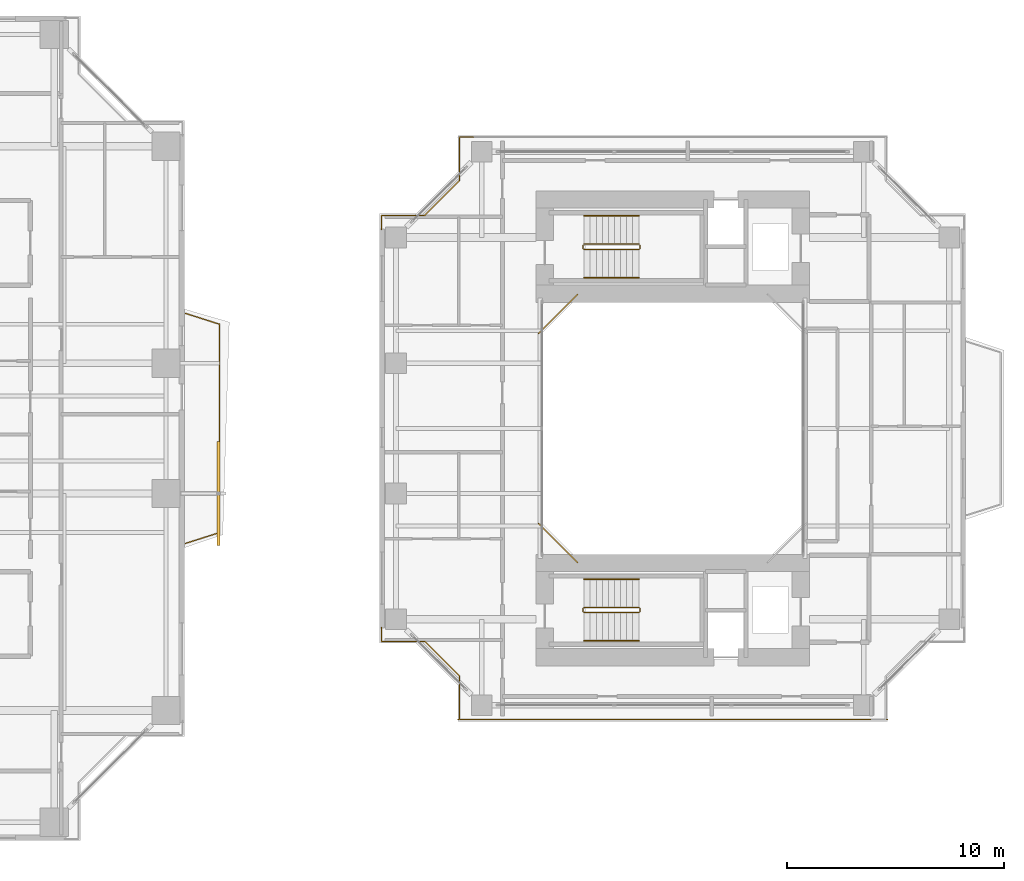
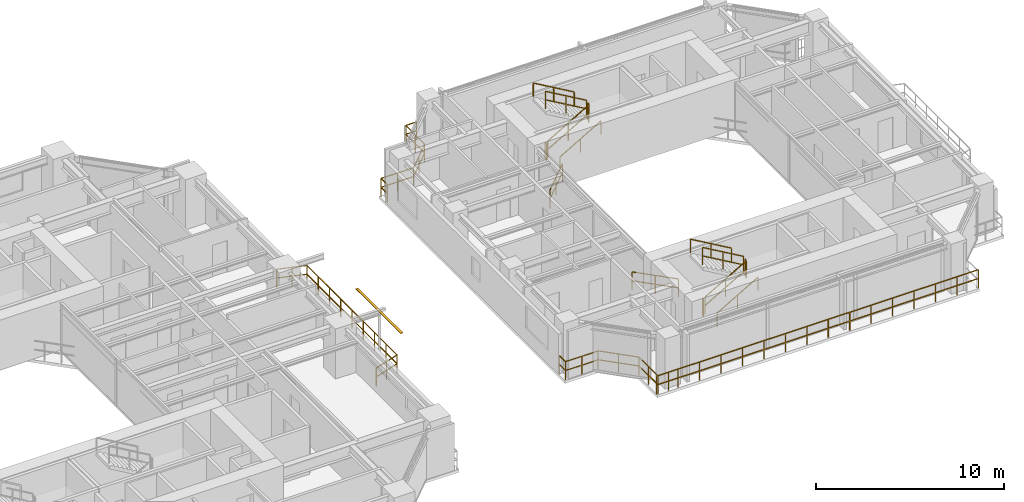
# One storey, part 21 of 23: 18 railings, 1 shading device.
"""IFC4 building model written with IfcOpenShell, lengths in metres."""

from ifc_helpers import new_model, si_unit, direction, frame, origin, origin_2d, place, context, subcontext, project, spatial, rectangle, extrude, source, transform, mapped, material, material_profile, profile_set, type_object, element, save


model = new_model("IFC4")

# Units and contexts
model_context = context("Model", 3, precision=1e-05, world=origin(), true_north=direction((0.0, 1.0)))
body_context = subcontext(model_context, "Body", "Model", "MODEL_VIEW")
ifc_project = project(units=[si_unit("LENGTHUNIT", "METRE"), si_unit("AREAUNIT", "SQUARE_METRE"), si_unit("VOLUMEUNIT", "CUBIC_METRE"), si_unit("PLANEANGLEUNIT", "RADIAN"), si_unit("MASSUNIT", "GRAM", prefix="KILO"), si_unit("THERMODYNAMICTEMPERATUREUNIT", "KELVIN"), si_unit("POWERUNIT", "WATT")], contexts=[model_context])

# Site, building, storey
site_placement = place(None, origin())
site = spatial("IfcSite", under=ifc_project, at=site_placement, CompositionType="ELEMENT")
building_placement = place(site_placement, origin())
building = spatial("IfcBuilding", under=site, at=building_placement, Name="Qiaomeng Ring Towers", CompositionType="ELEMENT")
storey_placement = place(building_placement, frame((0.0, 0.0, 29.5)))
storey = spatial("IfcBuildingStorey", under=building, at=storey_placement, Name="L07", CompositionType="ELEMENT", Elevation=29.5)

# Railings
ifc_material_1 = material(Name="Low-E pale-green laminated safety glass", Category="glass")
railing_type_1 = type_object("IfcRailingType", Name="ARC-RL-BAL1", PredefinedType="BALUSTRADE", material=ifc_material_1)
railing_1_placement = place(storey_placement, frame((38.050048828125, 17.699951171875, 0.0)))
element("IfcRailing", 1, at=railing_1_placement, inside=storey, type_object=railing_type_1, Name="L07 Balustrade ARC-BAL-L07-T1-E", PredefinedType="BALUSTRADE", context=body_context, shape_type="SweptSolid", body=[
    extrude(rectangle(XDim=0.048095703125, YDim=0.048095703125, at=origin_2d()), frame((0.0, 0.0, 1.17578125), z_axis=(0.952849860715, 0.303442157479, 0.0), x_axis=(-0.303442157479, 0.952849860715, 0.0)), (0.0, 0.0, 1.0), 1.647705078125),
    extrude(rectangle(XDim=0.048095703125, YDim=0.048095703125, at=origin_2d()), frame((0.0, 0.0, 0.60009765625), z_axis=(0.952849860715, 0.303442157479, 0.0), x_axis=(-0.303442157479, 0.952849860715, 0.0)), (0.0, 0.0, 1.0), 1.647705078125),
    extrude(rectangle(XDim=0.048095703125, YDim=0.048095703125, at=origin_2d()), frame((1.570068359375, 0.5, 1.17578125), z_axis=(0.0, 1.0, 0.0), x_axis=(-1.0, 0.0, 0.0)), (0.0, 0.0, 1.0), 9.60009765625),
    extrude(rectangle(XDim=0.048095703125, YDim=0.048095703125, at=origin_2d()), frame((1.570068359375, 0.5, 0.60009765625), z_axis=(0.0, 1.0, 0.0), x_axis=(-1.0, 0.0, 0.0)), (0.0, 0.0, 1.0), 9.60009765625),
    extrude(rectangle(XDim=0.048095703125, YDim=0.048095703125, at=origin_2d()), frame((1.570068359375, 10.10009765625, 1.17578125), z_axis=(-0.952849860715, 0.303442157479, 0.0), x_axis=(-0.303442157479, -0.952849860715, 0.0)), (0.0, 0.0, 1.0), 1.647705078125),
    extrude(rectangle(XDim=0.048095703125, YDim=0.048095703125, at=origin_2d()), frame((1.570068359375, 10.10009765625, 0.60009765625), z_axis=(-0.952849860715, 0.303442157479, 0.0), x_axis=(-0.303442157479, -0.952849860715, 0.0)), (0.0, 0.0, 1.0), 1.647705078125),
    extrude(rectangle(XDim=0.0419921875, YDim=0.0419921875, at=origin_2d()), origin(), (0.0, 0.0, 1.0), 1.15185546875),
    extrude(rectangle(XDim=0.0419921875, YDim=0.0419921875, at=origin_2d()), frame((0.78515625, 0.25, 0.0)), (0.0, 0.0, 1.0), 1.15185546875),
    extrude(rectangle(XDim=0.0419921875, YDim=0.0419921875, at=origin_2d()), frame((1.570068359375, 0.5, 0.0)), (0.0, 0.0, 1.0), 1.15185546875),
    extrude(rectangle(XDim=0.0419921875, YDim=0.0419921875, at=origin_2d()), frame((1.570068359375, 1.699951171875, 0.0)), (0.0, 0.0, 1.0), 1.15185546875),
    extrude(rectangle(XDim=0.0419921875, YDim=0.0419921875, at=origin_2d()), frame((1.570068359375, 2.89990234375, 0.0)), (0.0, 0.0, 1.0), 1.15185546875),
    extrude(rectangle(XDim=0.0419921875, YDim=0.0419921875, at=origin_2d()), frame((1.570068359375, 4.10009765625, 0.0)), (0.0, 0.0, 1.0), 1.15185546875),
    extrude(rectangle(XDim=0.0419921875, YDim=0.0419921875, at=origin_2d()), frame((1.570068359375, 5.300048828125, 0.0)), (0.0, 0.0, 1.0), 1.15185546875),
    extrude(rectangle(XDim=0.0419921875, YDim=0.0419921875, at=origin_2d()), frame((1.570068359375, 6.5, 0.0)), (0.0, 0.0, 1.0), 1.15185546875),
    extrude(rectangle(XDim=0.0419921875, YDim=0.0419921875, at=origin_2d()), frame((1.570068359375, 7.7001953125, 0.0)), (0.0, 0.0, 1.0), 1.15185546875),
    extrude(rectangle(XDim=0.0419921875, YDim=0.0419921875, at=origin_2d()), frame((1.570068359375, 8.900146484375, 0.0)), (0.0, 0.0, 1.0), 1.15185546875),
    extrude(rectangle(XDim=0.0419921875, YDim=0.0419921875, at=origin_2d()), frame((1.570068359375, 10.10009765625, 0.0)), (0.0, 0.0, 1.0), 1.15185546875),
    extrude(rectangle(XDim=0.0419921875, YDim=0.0419921875, at=origin_2d()), frame((0.78515625, 10.35009765625, 0.0)), (0.0, 0.0, 1.0), 1.15185546875),
    extrude(rectangle(XDim=0.0419921875, YDim=0.0419921875, at=origin_2d()), frame((0.0, 10.60009765625, 0.0)), (0.0, 0.0, 1.0), 1.15185546875),
])
railing_2_placement = place(storey_placement, frame((56.1201171875, 29.179931640625, 0.0)))
element("IfcRailing", 2, at=railing_2_placement, inside=storey, type_object=railing_type_1, Name="L07 Balustrade ARC-BAL-WELL2-L07-3", PredefinedType="BALUSTRADE", context=body_context, shape_type="SweptSolid", body=[
    extrude(rectangle(XDim=0.048095703125, YDim=0.048095703125, at=origin_2d()), frame((0.0, 0.0, 1.17578125), z_axis=(-0.707106781187, -0.707106781187, 0.0), x_axis=(0.707106781187, -0.707106781187, 0.0)), (0.0, 0.0, 1.0), 2.545654296875),
    extrude(rectangle(XDim=0.048095703125, YDim=0.048095703125, at=origin_2d()), frame((0.0, 0.0, 0.60009765625), z_axis=(-0.707106781187, -0.707106781187, 0.0), x_axis=(0.707106781187, -0.707106781187, 0.0)), (0.0, 0.0, 1.0), 2.545654296875),
    extrude(rectangle(XDim=0.0419921875, YDim=0.0419921875, at=origin_2d()), origin(), (0.0, 0.0, 1.0), 1.15185546875),
    extrude(rectangle(XDim=0.0419921875, YDim=0.0419921875, at=origin_2d()), frame((-0.89990234375, -0.89990234375, 0.0)), (0.0, 0.0, 1.0), 1.15185546875),
    extrude(rectangle(XDim=0.0419921875, YDim=0.0419921875, at=origin_2d()), frame((-1.800048828125, -1.800048828125, 0.0)), (0.0, 0.0, 1.0), 1.15185546875),
])
railing_3_placement = place(storey_placement, frame((54.320068359375, 18.6201171875, 0.0)))
element("IfcRailing", 3, at=railing_3_placement, inside=storey, type_object=railing_type_1, Name="L07 Balustrade ARC-BAL-WELL2-L07-4", PredefinedType="BALUSTRADE", context=body_context, shape_type="SweptSolid", body=[
    extrude(rectangle(XDim=0.048095703125, YDim=0.048095703125, at=origin_2d()), frame((0.0, 0.0, 1.17578125), z_axis=(0.707106781187, -0.707106781187, 0.0), x_axis=(0.707106781187, 0.707106781187, 0.0)), (0.0, 0.0, 1.0), 2.545654296875),
    extrude(rectangle(XDim=0.048095703125, YDim=0.048095703125, at=origin_2d()), frame((0.0, 0.0, 0.60009765625), z_axis=(0.707106781187, -0.707106781187, 0.0), x_axis=(0.707106781187, 0.707106781187, 0.0)), (0.0, 0.0, 1.0), 2.545654296875),
    extrude(rectangle(XDim=0.0419921875, YDim=0.0419921875, at=origin_2d()), origin(), (0.0, 0.0, 1.0), 1.15185546875),
    extrude(rectangle(XDim=0.0419921875, YDim=0.0419921875, at=origin_2d()), frame((0.89990234375, -0.89990234375, 0.0)), (0.0, 0.0, 1.0), 1.15185546875),
    extrude(rectangle(XDim=0.0419921875, YDim=0.0419921875, at=origin_2d()), frame((1.800048828125, -1.800048828125, 0.0)), (0.0, 0.0, 1.0), 1.15185546875),
])
railing_4_placement = place(storey_placement, frame((51.330078125, 36.419921875, 0.0)))
element("IfcRailing", 4, at=railing_4_placement, inside=storey, type_object=railing_type_1, Name="L07 Balustrade ARC-BAL-NOTCH2-L07-NW", PredefinedType="BALUSTRADE", context=body_context, shape_type="SweptSolid", body=[
    extrude(rectangle(XDim=0.048095703125, YDim=0.048095703125, at=origin_2d()), frame((0.0, 0.0, 1.17578125), z_axis=(-1.0, 0.0, 0.0), x_axis=(0.0, -1.0, 0.0)), (0.0, 0.0, 1.0), 0.650146484375),
    extrude(rectangle(XDim=0.048095703125, YDim=0.048095703125, at=origin_2d()), frame((0.0, 0.0, 0.60009765625), z_axis=(-1.0, 0.0, 0.0), x_axis=(0.0, -1.0, 0.0)), (0.0, 0.0, 1.0), 0.650146484375),
    extrude(rectangle(XDim=0.048095703125, YDim=0.048095703125, at=origin_2d()), frame((-0.650146484375, 0.0, 1.17578125), z_axis=(0.0, -1.0, 0.0), x_axis=(1.0, 0.0, 0.0)), (0.0, 0.0, 1.0), 2.0),
    extrude(rectangle(XDim=0.048095703125, YDim=0.048095703125, at=origin_2d()), frame((-0.650146484375, 0.0, 0.60009765625), z_axis=(0.0, -1.0, 0.0), x_axis=(1.0, 0.0, 0.0)), (0.0, 0.0, 1.0), 2.0),
    extrude(rectangle(XDim=0.048095703125, YDim=0.048095703125, at=origin_2d()), frame((-0.650146484375, -2.0, 1.17578125), z_axis=(-0.707106781187, -0.707106781187, 0.0), x_axis=(0.707106781187, -0.707106781187, 0.0)), (0.0, 0.0, 1.0), 2.262451171875),
    extrude(rectangle(XDim=0.048095703125, YDim=0.048095703125, at=origin_2d()), frame((-0.650146484375, -2.0, 0.60009765625), z_axis=(-0.707106781187, -0.707106781187, 0.0), x_axis=(0.707106781187, -0.707106781187, 0.0)), (0.0, 0.0, 1.0), 2.262451171875),
    extrude(rectangle(XDim=0.048095703125, YDim=0.048095703125, at=origin_2d()), frame((-2.25, -3.599853515625, 1.17578125), z_axis=(-1.0, 0.0, 0.0), x_axis=(0.0, -1.0, 0.0)), (0.0, 0.0, 1.0), 2.0),
    extrude(rectangle(XDim=0.048095703125, YDim=0.048095703125, at=origin_2d()), frame((-2.25, -3.599853515625, 0.60009765625), z_axis=(-1.0, 0.0, 0.0), x_axis=(0.0, -1.0, 0.0)), (0.0, 0.0, 1.0), 2.0),
    extrude(rectangle(XDim=0.048095703125, YDim=0.048095703125, at=origin_2d()), frame((-4.25, -3.599853515625, 1.17578125), z_axis=(0.0, -1.0, 0.0), x_axis=(1.0, 0.0, 0.0)), (0.0, 0.0, 1.0), 0.650146484375),
    extrude(rectangle(XDim=0.048095703125, YDim=0.048095703125, at=origin_2d()), frame((-4.25, -3.599853515625, 0.60009765625), z_axis=(0.0, -1.0, 0.0), x_axis=(1.0, 0.0, 0.0)), (0.0, 0.0, 1.0), 0.650146484375),
    extrude(rectangle(XDim=0.0419921875, YDim=0.0419921875, at=origin_2d()), origin(), (0.0, 0.0, 1.0), 1.15185546875),
    extrude(rectangle(XDim=0.0419921875, YDim=0.0419921875, at=origin_2d()), frame((-0.650146484375, 0.0, 0.0)), (0.0, 0.0, 1.0), 1.15185546875),
    extrude(rectangle(XDim=0.0419921875, YDim=0.0419921875, at=origin_2d()), frame((-0.650146484375, -1.0, 0.0)), (0.0, 0.0, 1.0), 1.15185546875),
    extrude(rectangle(XDim=0.0419921875, YDim=0.0419921875, at=origin_2d()), frame((-0.650146484375, -2.0, 0.0)), (0.0, 0.0, 1.0), 1.15185546875),
    extrude(rectangle(XDim=0.0419921875, YDim=0.0419921875, at=origin_2d()), frame((-1.4501953125, -2.7998046875, 0.0)), (0.0, 0.0, 1.0), 1.15185546875),
    extrude(rectangle(XDim=0.0419921875, YDim=0.0419921875, at=origin_2d()), frame((-2.25, -3.599853515625, 0.0)), (0.0, 0.0, 1.0), 1.15185546875),
    extrude(rectangle(XDim=0.0419921875, YDim=0.0419921875, at=origin_2d()), frame((-3.25, -3.599853515625, 0.0)), (0.0, 0.0, 1.0), 1.15185546875),
    extrude(rectangle(XDim=0.0419921875, YDim=0.0419921875, at=origin_2d()), frame((-4.25, -3.599853515625, 0.0)), (0.0, 0.0, 1.0), 1.15185546875),
    extrude(rectangle(XDim=0.0419921875, YDim=0.0419921875, at=origin_2d()), frame((-4.25, -4.25, 0.0)), (0.0, 0.0, 1.0), 1.15185546875),
])
railing_5_placement = place(storey_placement, frame((47.080078125, 13.830078125, 0.0)))
element("IfcRailing", 5, at=railing_5_placement, inside=storey, type_object=railing_type_1, Name="L07 Balustrade ARC-BAL-NOTCH2-L07-SW", PredefinedType="BALUSTRADE", context=body_context, shape_type="SweptSolid", body=[
    extrude(rectangle(XDim=0.048095703125, YDim=0.048095703125, at=origin_2d()), frame((0.0, 0.0, 1.17578125), z_axis=(0.0, -1.0, 0.0), x_axis=(1.0, 0.0, 0.0)), (0.0, 0.0, 1.0), 0.650146484375),
    extrude(rectangle(XDim=0.048095703125, YDim=0.048095703125, at=origin_2d()), frame((0.0, 0.0, 0.60009765625), z_axis=(0.0, -1.0, 0.0), x_axis=(1.0, 0.0, 0.0)), (0.0, 0.0, 1.0), 0.650146484375),
    extrude(rectangle(XDim=0.048095703125, YDim=0.048095703125, at=origin_2d()), frame((0.0, -0.650146484375, 1.17578125), z_axis=(1.0, 0.0, 0.0), x_axis=(0.0, 1.0, 0.0)), (0.0, 0.0, 1.0), 2.0),
    extrude(rectangle(XDim=0.048095703125, YDim=0.048095703125, at=origin_2d()), frame((0.0, -0.650146484375, 0.60009765625), z_axis=(1.0, 0.0, 0.0), x_axis=(0.0, 1.0, 0.0)), (0.0, 0.0, 1.0), 2.0),
    extrude(rectangle(XDim=0.048095703125, YDim=0.048095703125, at=origin_2d()), frame((2.0, -0.650146484375, 1.17578125), z_axis=(0.707106781187, -0.707106781187, 0.0), x_axis=(0.707106781187, 0.707106781187, 0.0)), (0.0, 0.0, 1.0), 2.262451171875),
    extrude(rectangle(XDim=0.048095703125, YDim=0.048095703125, at=origin_2d()), frame((2.0, -0.650146484375, 0.60009765625), z_axis=(0.707106781187, -0.707106781187, 0.0), x_axis=(0.707106781187, 0.707106781187, 0.0)), (0.0, 0.0, 1.0), 2.262451171875),
    extrude(rectangle(XDim=0.048095703125, YDim=0.048095703125, at=origin_2d()), frame((3.599853515625, -2.25, 1.17578125), z_axis=(0.0, -1.0, 0.0), x_axis=(1.0, 0.0, 0.0)), (0.0, 0.0, 1.0), 2.0),
    extrude(rectangle(XDim=0.048095703125, YDim=0.048095703125, at=origin_2d()), frame((3.599853515625, -2.25, 0.60009765625), z_axis=(0.0, -1.0, 0.0), x_axis=(1.0, 0.0, 0.0)), (0.0, 0.0, 1.0), 2.0),
    extrude(rectangle(XDim=0.048095703125, YDim=0.048095703125, at=origin_2d()), frame((3.599853515625, -4.25, 1.17578125), z_axis=(1.0, 0.0, 0.0), x_axis=(0.0, 1.0, 0.0)), (0.0, 0.0, 1.0), 0.650146484375),
    extrude(rectangle(XDim=0.048095703125, YDim=0.048095703125, at=origin_2d()), frame((3.599853515625, -4.25, 0.60009765625), z_axis=(1.0, 0.0, 0.0), x_axis=(0.0, 1.0, 0.0)), (0.0, 0.0, 1.0), 0.650146484375),
    extrude(rectangle(XDim=0.0419921875, YDim=0.0419921875, at=origin_2d()), origin(), (0.0, 0.0, 1.0), 1.15185546875),
    extrude(rectangle(XDim=0.0419921875, YDim=0.0419921875, at=origin_2d()), frame((0.0, -0.650146484375, 0.0)), (0.0, 0.0, 1.0), 1.15185546875),
    extrude(rectangle(XDim=0.0419921875, YDim=0.0419921875, at=origin_2d()), frame((1.0, -0.650146484375, 0.0)), (0.0, 0.0, 1.0), 1.15185546875),
    extrude(rectangle(XDim=0.0419921875, YDim=0.0419921875, at=origin_2d()), frame((2.0, -0.650146484375, 0.0)), (0.0, 0.0, 1.0), 1.15185546875),
    extrude(rectangle(XDim=0.0419921875, YDim=0.0419921875, at=origin_2d()), frame((2.7998046875, -1.4501953125, 0.0)), (0.0, 0.0, 1.0), 1.15185546875),
    extrude(rectangle(XDim=0.0419921875, YDim=0.0419921875, at=origin_2d()), frame((3.599853515625, -2.25, 0.0)), (0.0, 0.0, 1.0), 1.15185546875),
    extrude(rectangle(XDim=0.0419921875, YDim=0.0419921875, at=origin_2d()), frame((3.599853515625, -3.25, 0.0)), (0.0, 0.0, 1.0), 1.15185546875),
    extrude(rectangle(XDim=0.0419921875, YDim=0.0419921875, at=origin_2d()), frame((3.599853515625, -4.25, 0.0)), (0.0, 0.0, 1.0), 1.15185546875),
    extrude(rectangle(XDim=0.0419921875, YDim=0.0419921875, at=origin_2d()), frame((4.25, -4.25, 0.0)), (0.0, 0.0, 1.0), 1.15185546875),
])
railing_6_placement = place(storey_placement, frame((50.60009765625, 9.580078125, 0.0)))
element("IfcRailing", 6, at=railing_6_placement, inside=storey, type_object=railing_type_1, Name="L07 Balustrade ARC-BAL-T2S-L07", PredefinedType="BALUSTRADE", context=body_context, shape_type="SweptSolid", body=[
    extrude(rectangle(XDim=0.048095703125, YDim=0.048095703125, at=origin_2d()), frame((0.0, 0.0, 1.17578125), z_axis=(1.0, 0.0, 0.0), x_axis=(0.0, 1.0, 0.0)), (0.0, 0.0, 1.0), 19.7998046875),
    extrude(rectangle(XDim=0.048095703125, YDim=0.048095703125, at=origin_2d()), frame((0.0, 0.0, 0.60009765625), z_axis=(1.0, 0.0, 0.0), x_axis=(0.0, 1.0, 0.0)), (0.0, 0.0, 1.0), 19.7998046875),
    extrude(rectangle(XDim=0.0419921875, YDim=0.0419921875, at=origin_2d()), origin(), (0.0, 0.0, 1.0), 1.15185546875),
    extrude(rectangle(XDim=0.0419921875, YDim=0.0419921875, at=origin_2d()), frame((1.320068359375, 0.0, 0.0)), (0.0, 0.0, 1.0), 1.15185546875),
    extrude(rectangle(XDim=0.0419921875, YDim=0.0419921875, at=origin_2d()), frame((2.639892578125, 0.0, 0.0)), (0.0, 0.0, 1.0), 1.15185546875),
    extrude(rectangle(XDim=0.0419921875, YDim=0.0419921875, at=origin_2d()), frame((3.9599609375, 0.0, 0.0)), (0.0, 0.0, 1.0), 1.15185546875),
    extrude(rectangle(XDim=0.0419921875, YDim=0.0419921875, at=origin_2d()), frame((5.280029296875, 0.0, 0.0)), (0.0, 0.0, 1.0), 1.15185546875),
    extrude(rectangle(XDim=0.0419921875, YDim=0.0419921875, at=origin_2d()), frame((6.599853515625, 0.0, 0.0)), (0.0, 0.0, 1.0), 1.15185546875),
    extrude(rectangle(XDim=0.0419921875, YDim=0.0419921875, at=origin_2d()), frame((7.919921875, 0.0, 0.0)), (0.0, 0.0, 1.0), 1.15185546875),
    extrude(rectangle(XDim=0.0419921875, YDim=0.0419921875, at=origin_2d()), frame((9.239990234375, 0.0, 0.0)), (0.0, 0.0, 1.0), 1.15185546875),
    extrude(rectangle(XDim=0.0419921875, YDim=0.0419921875, at=origin_2d()), frame((10.559814453125, 0.0, 0.0)), (0.0, 0.0, 1.0), 1.15185546875),
    extrude(rectangle(XDim=0.0419921875, YDim=0.0419921875, at=origin_2d()), frame((11.8798828125, 0.0, 0.0)), (0.0, 0.0, 1.0), 1.15185546875),
    extrude(rectangle(XDim=0.0419921875, YDim=0.0419921875, at=origin_2d()), frame((13.199951171875, 0.0, 0.0)), (0.0, 0.0, 1.0), 1.15185546875),
    extrude(rectangle(XDim=0.0419921875, YDim=0.0419921875, at=origin_2d()), frame((14.519775390625, 0.0, 0.0)), (0.0, 0.0, 1.0), 1.15185546875),
    extrude(rectangle(XDim=0.0419921875, YDim=0.0419921875, at=origin_2d()), frame((15.83984375, 0.0, 0.0)), (0.0, 0.0, 1.0), 1.15185546875),
    extrude(rectangle(XDim=0.0419921875, YDim=0.0419921875, at=origin_2d()), frame((17.159912109375, 0.0, 0.0)), (0.0, 0.0, 1.0), 1.15185546875),
    extrude(rectangle(XDim=0.0419921875, YDim=0.0419921875, at=origin_2d()), frame((18.479736328125, 0.0, 0.0)), (0.0, 0.0, 1.0), 1.15185546875),
    extrude(rectangle(XDim=0.0419921875, YDim=0.0419921875, at=origin_2d()), frame((19.7998046875, 0.0, 0.0)), (0.0, 0.0, 1.0), 1.15185546875),
])
ifc_material_2 = material(Name="Galvanised steel", Category="steel")
railing_type_2 = type_object("IfcRailingType", Name="ARC-RL-GUARD", PredefinedType="GUARDRAIL", material=ifc_material_2)
railing_7_placement = place(storey_placement, frame((56.419921875, 31.25, 0.16259765625)))
element("IfcRailing", 7, at=railing_7_placement, inside=storey, type_object=railing_type_2, Name="L07 ST5 stair guard 1", PredefinedType="GUARDRAIL", context=body_context, shape_type="SweptSolid", body=[
    extrude(rectangle(XDim=0.048095703125, YDim=0.048095703125, at=origin_2d()), frame((0.0, 0.0, 1.1259765625), z_axis=(0.864913338283, 0.0, 0.50192122615), x_axis=(0.0, 1.0, 0.0)), (0.0, 0.0, 1.0), 2.91357421875),
    extrude(rectangle(XDim=0.048095703125, YDim=0.048095703125, at=origin_2d()), frame((0.0, 0.0, 0.574951171875), z_axis=(0.864913338283, 0.0, 0.50192122615), x_axis=(0.0, 1.0, 0.0)), (0.0, 0.0, 1.0), 2.91357421875),
    extrude(rectangle(XDim=0.0419921875, YDim=0.0419921875, at=origin_2d()), origin(), (0.0, 0.0, 1.0), 1.101806640625),
    extrude(rectangle(XDim=0.0419921875, YDim=0.0419921875, at=origin_2d()), frame((1.260009765625, 0.0, 0.731201171875)), (0.0, 0.0, 1.0), 1.101806640625),
    extrude(rectangle(XDim=0.0419921875, YDim=0.0419921875, at=origin_2d()), frame((2.52001953125, 0.0, 1.46240234375)), (0.0, 0.0, 1.0), 1.101806640625),
])
railing_8_placement = place(storey_placement, frame((58.989990234375, 31.300048828125, 1.625)))
element("IfcRailing", 8, at=railing_8_placement, inside=storey, type_object=railing_type_2, Name="L07 ST5 stair guard 2", PredefinedType="GUARDRAIL", context=body_context, shape_type="SweptSolid", body=[
    extrude(rectangle(XDim=0.048095703125, YDim=0.048095703125, at=origin_2d()), frame((0.0, 0.0, 1.1259765625), z_axis=(0.0, 1.0, 0.0), x_axis=(-1.0, 0.0, 0.0)), (0.0, 0.0, 1.0), 0.139892578125),
    extrude(rectangle(XDim=0.048095703125, YDim=0.048095703125, at=origin_2d()), frame((0.0, 0.0, 0.574951171875), z_axis=(0.0, 1.0, 0.0), x_axis=(-1.0, 0.0, 0.0)), (0.0, 0.0, 1.0), 0.139892578125),
    extrude(rectangle(XDim=0.0419921875, YDim=0.0419921875, at=origin_2d()), origin(), (0.0, 0.0, 1.0), 1.101806640625),
    extrude(rectangle(XDim=0.0419921875, YDim=0.0419921875, at=origin_2d()), frame((0.0, 0.139892578125, 0.0)), (0.0, 0.0, 1.0), 1.101806640625),
])
railing_9_placement = place(storey_placement, frame((58.93994140625, 31.489990234375, 1.78759765625)))
element("IfcRailing", 9, at=railing_9_placement, inside=storey, type_object=railing_type_2, Name="L07 ST5 stair guard 3", PredefinedType="GUARDRAIL", context=body_context, shape_type="SweptSolid", body=[
    extrude(rectangle(XDim=0.048095703125, YDim=0.048095703125, at=origin_2d()), frame((0.0, 0.0, 1.1259765625), z_axis=(-0.864913338283, 0.0, 0.50192122615), x_axis=(0.0, -1.0, 0.0)), (0.0, 0.0, 1.0), 2.91357421875),
    extrude(rectangle(XDim=0.048095703125, YDim=0.048095703125, at=origin_2d()), frame((0.0, 0.0, 0.574951171875), z_axis=(-0.864913338283, 0.0, 0.50192122615), x_axis=(0.0, -1.0, 0.0)), (0.0, 0.0, 1.0), 2.91357421875),
    extrude(rectangle(XDim=0.0419921875, YDim=0.0419921875, at=origin_2d()), origin(), (0.0, 0.0, 1.0), 1.101806640625),
    extrude(rectangle(XDim=0.0419921875, YDim=0.0419921875, at=origin_2d()), frame((-1.260009765625, 0.0, 0.731201171875)), (0.0, 0.0, 1.0), 1.101806640625),
    extrude(rectangle(XDim=0.0419921875, YDim=0.0419921875, at=origin_2d()), frame((-2.52001953125, 0.0, 1.46240234375)), (0.0, 0.0, 1.0), 1.101806640625),
])
railing_10_placement = place(storey_placement, frame((56.3701171875, 31.300048828125, 0.0)))
element("IfcRailing", 10, at=railing_10_placement, inside=storey, type_object=railing_type_2, Name="L07 ST5 stair guard 4", PredefinedType="GUARDRAIL", context=body_context, shape_type="SweptSolid", body=[
    extrude(rectangle(XDim=0.048095703125, YDim=0.048095703125, at=origin_2d()), frame((0.0, 0.0, 1.1259765625), z_axis=(0.0, 1.0, 0.0), x_axis=(-1.0, 0.0, 0.0)), (0.0, 0.0, 1.0), 0.139892578125),
    extrude(rectangle(XDim=0.048095703125, YDim=0.048095703125, at=origin_2d()), frame((0.0, 0.0, 0.574951171875), z_axis=(0.0, 1.0, 0.0), x_axis=(-1.0, 0.0, 0.0)), (0.0, 0.0, 1.0), 0.139892578125),
    extrude(rectangle(XDim=0.0419921875, YDim=0.0419921875, at=origin_2d()), origin(), (0.0, 0.0, 1.0), 1.101806640625),
    extrude(rectangle(XDim=0.0419921875, YDim=0.0419921875, at=origin_2d()), frame((0.0, 0.139892578125, 0.0)), (0.0, 0.0, 1.0), 1.101806640625),
])
railing_11_placement = place(storey_placement, frame((56.419921875, 14.510009765625, 0.16259765625)))
element("IfcRailing", 11, at=railing_11_placement, inside=storey, type_object=railing_type_2, Name="L07 ST6 stair guard 1", PredefinedType="GUARDRAIL", context=body_context, shape_type="SweptSolid", body=[
    extrude(rectangle(XDim=0.048095703125, YDim=0.048095703125, at=origin_2d()), frame((0.0, 0.0, 1.1259765625), z_axis=(0.864913338283, 0.0, 0.50192122615), x_axis=(0.0, 1.0, 0.0)), (0.0, 0.0, 1.0), 2.91357421875),
    extrude(rectangle(XDim=0.048095703125, YDim=0.048095703125, at=origin_2d()), frame((0.0, 0.0, 0.574951171875), z_axis=(0.864913338283, 0.0, 0.50192122615), x_axis=(0.0, 1.0, 0.0)), (0.0, 0.0, 1.0), 2.91357421875),
    extrude(rectangle(XDim=0.0419921875, YDim=0.0419921875, at=origin_2d()), origin(), (0.0, 0.0, 1.0), 1.101806640625),
    extrude(rectangle(XDim=0.0419921875, YDim=0.0419921875, at=origin_2d()), frame((1.260009765625, 0.0, 0.731201171875)), (0.0, 0.0, 1.0), 1.101806640625),
    extrude(rectangle(XDim=0.0419921875, YDim=0.0419921875, at=origin_2d()), frame((2.52001953125, 0.0, 1.46240234375)), (0.0, 0.0, 1.0), 1.101806640625),
])
railing_12_placement = place(storey_placement, frame((58.989990234375, 14.56005859375, 1.625)))
element("IfcRailing", 12, at=railing_12_placement, inside=storey, type_object=railing_type_2, Name="L07 ST6 stair guard 2", PredefinedType="GUARDRAIL", context=body_context, shape_type="SweptSolid", body=[
    extrude(rectangle(XDim=0.048095703125, YDim=0.048095703125, at=origin_2d()), frame((0.0, 0.0, 1.1259765625), z_axis=(0.0, 1.0, 0.0), x_axis=(-1.0, 0.0, 0.0)), (0.0, 0.0, 1.0), 0.139892578125),
    extrude(rectangle(XDim=0.048095703125, YDim=0.048095703125, at=origin_2d()), frame((0.0, 0.0, 0.574951171875), z_axis=(0.0, 1.0, 0.0), x_axis=(-1.0, 0.0, 0.0)), (0.0, 0.0, 1.0), 0.139892578125),
    extrude(rectangle(XDim=0.0419921875, YDim=0.0419921875, at=origin_2d()), origin(), (0.0, 0.0, 1.0), 1.101806640625),
    extrude(rectangle(XDim=0.0419921875, YDim=0.0419921875, at=origin_2d()), frame((0.0, 0.139892578125, 0.0)), (0.0, 0.0, 1.0), 1.101806640625),
])
railing_13_placement = place(storey_placement, frame((58.93994140625, 14.75, 1.78759765625)))
element("IfcRailing", 13, at=railing_13_placement, inside=storey, type_object=railing_type_2, Name="L07 ST6 stair guard 3", PredefinedType="GUARDRAIL", context=body_context, shape_type="SweptSolid", body=[
    extrude(rectangle(XDim=0.048095703125, YDim=0.048095703125, at=origin_2d()), frame((0.0, 0.0, 1.1259765625), z_axis=(-0.864913338283, 0.0, 0.50192122615), x_axis=(0.0, -1.0, 0.0)), (0.0, 0.0, 1.0), 2.91357421875),
    extrude(rectangle(XDim=0.048095703125, YDim=0.048095703125, at=origin_2d()), frame((0.0, 0.0, 0.574951171875), z_axis=(-0.864913338283, 0.0, 0.50192122615), x_axis=(0.0, -1.0, 0.0)), (0.0, 0.0, 1.0), 2.91357421875),
    extrude(rectangle(XDim=0.0419921875, YDim=0.0419921875, at=origin_2d()), origin(), (0.0, 0.0, 1.0), 1.101806640625),
    extrude(rectangle(XDim=0.0419921875, YDim=0.0419921875, at=origin_2d()), frame((-1.260009765625, 0.0, 0.731201171875)), (0.0, 0.0, 1.0), 1.101806640625),
    extrude(rectangle(XDim=0.0419921875, YDim=0.0419921875, at=origin_2d()), frame((-2.52001953125, 0.0, 1.46240234375)), (0.0, 0.0, 1.0), 1.101806640625),
])
railing_14_placement = place(storey_placement, frame((56.3701171875, 14.56005859375, 0.0)))
element("IfcRailing", 14, at=railing_14_placement, inside=storey, type_object=railing_type_2, Name="L07 ST6 stair guard 4", PredefinedType="GUARDRAIL", context=body_context, shape_type="SweptSolid", body=[
    extrude(rectangle(XDim=0.048095703125, YDim=0.048095703125, at=origin_2d()), frame((0.0, 0.0, 1.1259765625), z_axis=(0.0, 1.0, 0.0), x_axis=(-1.0, 0.0, 0.0)), (0.0, 0.0, 1.0), 0.139892578125),
    extrude(rectangle(XDim=0.048095703125, YDim=0.048095703125, at=origin_2d()), frame((0.0, 0.0, 0.574951171875), z_axis=(0.0, 1.0, 0.0), x_axis=(-1.0, 0.0, 0.0)), (0.0, 0.0, 1.0), 0.139892578125),
    extrude(rectangle(XDim=0.0419921875, YDim=0.0419921875, at=origin_2d()), origin(), (0.0, 0.0, 1.0), 1.101806640625),
    extrude(rectangle(XDim=0.0419921875, YDim=0.0419921875, at=origin_2d()), frame((0.0, 0.139892578125, 0.0)), (0.0, 0.0, 1.0), 1.101806640625),
])
ifc_material_3 = material(Name="Stainless steel 316", Category="steel")
railing_type_3 = type_object("IfcRailingType", Name="ARC-RL-HAND", PredefinedType="HANDRAIL", material=ifc_material_3)
railing_15_placement = place(storey_placement, frame((56.419921875, 29.949951171875, 0.16259765625)))
element("IfcRailing", 15, at=railing_15_placement, inside=storey, type_object=railing_type_3, Name="L07 ST5 stair handrail 1", PredefinedType="HANDRAIL", context=body_context, shape_type="SweptSolid", body=[
    extrude(rectangle(XDim=0.048095703125, YDim=0.048095703125, at=origin_2d()), frame((0.0, 0.0, 0.8759765625), z_axis=(0.864913338283, 0.0, 0.50192122615), x_axis=(0.0, 1.0, 0.0)), (0.0, 0.0, 1.0), 2.91357421875),
    extrude(rectangle(XDim=0.0419921875, YDim=0.0419921875, at=origin_2d()), origin(), (0.0, 0.0, 1.0), 0.851806640625),
    extrude(rectangle(XDim=0.0419921875, YDim=0.0419921875, at=origin_2d()), frame((1.260009765625, 0.0, 0.731201171875)), (0.0, 0.0, 1.0), 0.851806640625),
    extrude(rectangle(XDim=0.0419921875, YDim=0.0419921875, at=origin_2d()), frame((2.52001953125, 0.0, 1.46240234375)), (0.0, 0.0, 1.0), 0.851806640625),
])
railing_16_placement = place(storey_placement, frame((58.93994140625, 32.7900390625, 1.78759765625)))
element("IfcRailing", 16, at=railing_16_placement, inside=storey, type_object=railing_type_3, Name="L07 ST5 stair handrail 2", PredefinedType="HANDRAIL", context=body_context, shape_type="SweptSolid", body=[
    extrude(rectangle(XDim=0.048095703125, YDim=0.048095703125, at=origin_2d()), frame((0.0, 0.0, 0.8759765625), z_axis=(-0.864913338283, 0.0, 0.50192122615), x_axis=(0.0, -1.0, 0.0)), (0.0, 0.0, 1.0), 2.91357421875),
    extrude(rectangle(XDim=0.0419921875, YDim=0.0419921875, at=origin_2d()), origin(), (0.0, 0.0, 1.0), 0.851806640625),
    extrude(rectangle(XDim=0.0419921875, YDim=0.0419921875, at=origin_2d()), frame((-1.260009765625, 0.0, 0.731201171875)), (0.0, 0.0, 1.0), 0.851806640625),
    extrude(rectangle(XDim=0.0419921875, YDim=0.0419921875, at=origin_2d()), frame((-2.52001953125, 0.0, 1.46240234375)), (0.0, 0.0, 1.0), 0.851806640625),
])
railing_17_placement = place(storey_placement, frame((56.419921875, 13.2099609375, 0.16259765625)))
element("IfcRailing", 17, at=railing_17_placement, inside=storey, type_object=railing_type_3, Name="L07 ST6 stair handrail 1", PredefinedType="HANDRAIL", context=body_context, shape_type="SweptSolid", body=[
    extrude(rectangle(XDim=0.048095703125, YDim=0.048095703125, at=origin_2d()), frame((0.0, 0.0, 0.8759765625), z_axis=(0.864913338283, 0.0, 0.50192122615), x_axis=(0.0, 1.0, 0.0)), (0.0, 0.0, 1.0), 2.91357421875),
    extrude(rectangle(XDim=0.0419921875, YDim=0.0419921875, at=origin_2d()), origin(), (0.0, 0.0, 1.0), 0.851806640625),
    extrude(rectangle(XDim=0.0419921875, YDim=0.0419921875, at=origin_2d()), frame((1.260009765625, 0.0, 0.731201171875)), (0.0, 0.0, 1.0), 0.851806640625),
    extrude(rectangle(XDim=0.0419921875, YDim=0.0419921875, at=origin_2d()), frame((2.52001953125, 0.0, 1.46240234375)), (0.0, 0.0, 1.0), 0.851806640625),
])
railing_18_placement = place(storey_placement, frame((58.93994140625, 16.050048828125, 1.78759765625)))
element("IfcRailing", 18, at=railing_18_placement, inside=storey, type_object=railing_type_3, Name="L07 ST6 stair handrail 2", PredefinedType="HANDRAIL", context=body_context, shape_type="SweptSolid", body=[
    extrude(rectangle(XDim=0.048095703125, YDim=0.048095703125, at=origin_2d()), frame((0.0, 0.0, 0.8759765625), z_axis=(-0.864913338283, 0.0, 0.50192122615), x_axis=(0.0, -1.0, 0.0)), (0.0, 0.0, 1.0), 2.91357421875),
    extrude(rectangle(XDim=0.0419921875, YDim=0.0419921875, at=origin_2d()), origin(), (0.0, 0.0, 1.0), 0.851806640625),
    extrude(rectangle(XDim=0.0419921875, YDim=0.0419921875, at=origin_2d()), frame((-1.260009765625, 0.0, 0.731201171875)), (0.0, 0.0, 1.0), 0.851806640625),
    extrude(rectangle(XDim=0.0419921875, YDim=0.0419921875, at=origin_2d()), frame((-2.52001953125, 0.0, 1.46240234375)), (0.0, 0.0, 1.0), 0.851806640625),
])

# Shading device
ifc_material_4 = material(Name="Fluorocarbon dark-grey aluminium", Category="aluminium")
ifc_material_profile = material_profile(ifc_material_4, rectangle(XDim=0.14990234375, YDim=0.034912109375, at=origin_2d()), Name="LV BLADE 150x35")
ifc_profile_set = profile_set([ifc_material_profile], Name="Fluorocarbon dark-grey aluminium")
shading_device_type = type_object("IfcShadingDeviceType", Name="ARC-SHD-SUN", PredefinedType="AWNING", material=ifc_profile_set)
shared_shape = source(origin(), body_context, "Body", "SweptSolid", [
    extrude(rectangle(XDim=0.14990234375, YDim=0.034912109375, at=origin_2d()), origin(), (0.0, 0.0, 1.0), 4.7998046875),
])
shading_device_placement = place(storey_placement, frame((39.570068359375, 17.60009765625, 2.969970703125), z_axis=(0.0, 1.0, 0.0), x_axis=(-1.0, 0.0, 0.0)))
element("IfcShadingDevice", 19, at=shading_device_placement, inside=storey, type_object=shading_device_type, Name="L07 Ventilated Outer-Skin Sunshade E", PredefinedType="AWNING", context=body_context, shape_type="MappedRepresentation", body=[
    mapped(shared_shape, transform((0.0, 0.0, 0.0), x_axis=(1.0, 0.0, 0.0), y_axis=(0.0, 1.0, 0.0), z_axis=(0.0, 0.0, 1.0), scale=1.0)),
])

save(model, "model.ifc")
